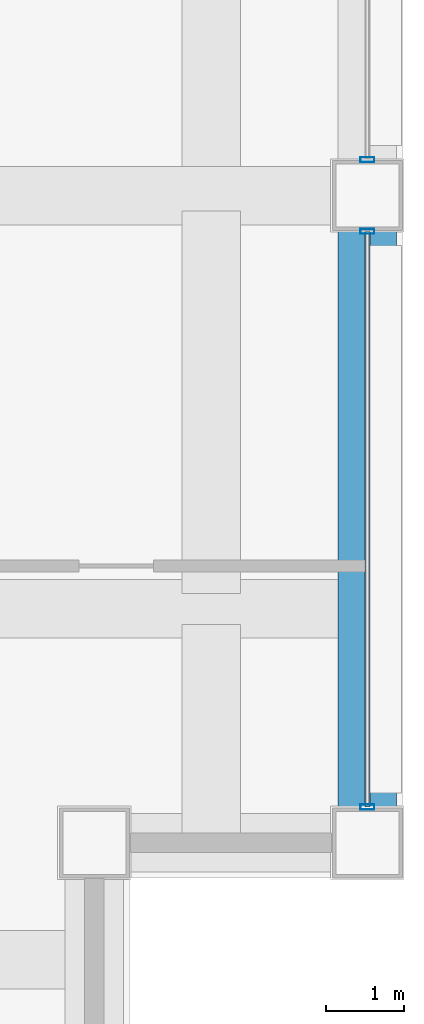
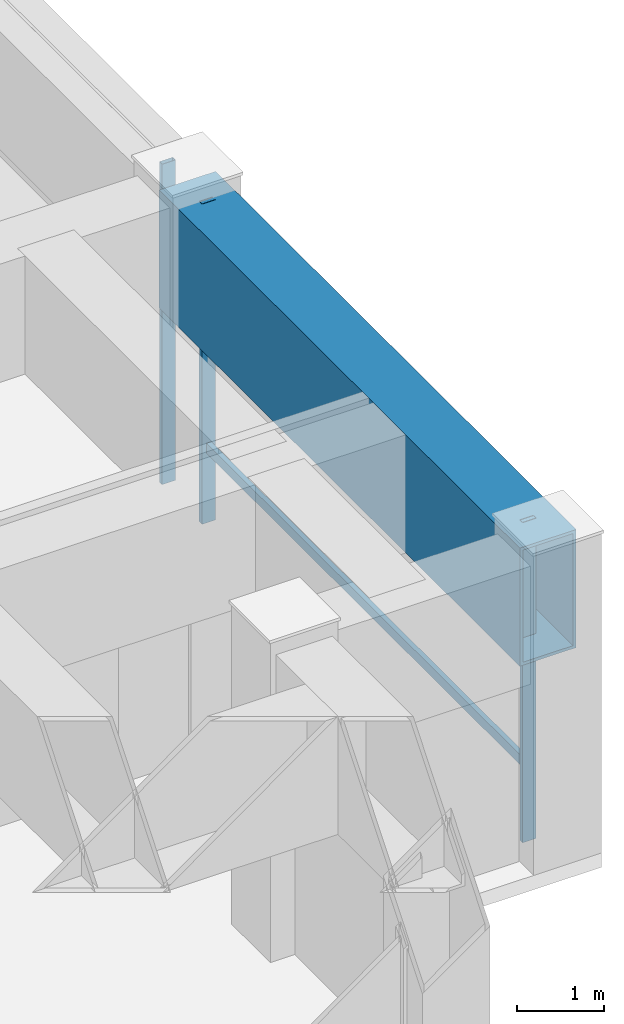
# One storey, part 14 of 29: 4 members, 1 beam, 2 elements without a shape of their own.
"""IFC4 building model written with IfcOpenShell, lengths in metres."""

from ifc_helpers import new_model, si_unit, direction, frame, origin, origin_2d, place, context, subcontext, project, spatial, hollow_rectangle, extrude, material, layer, layer_set, material_profile, profile_set, type_object, element, aggregate, save


model = new_model("IFC4")

# Units and contexts
model_context = context("Model", 3, precision=1e-05, world=origin(), true_north=direction((0.0, 1.0)))
body_context = subcontext(model_context, "Body", "Model", "MODEL_VIEW")
ifc_project = project(units=[si_unit("LENGTHUNIT", "METRE"), si_unit("AREAUNIT", "SQUARE_METRE"), si_unit("VOLUMEUNIT", "CUBIC_METRE"), si_unit("PLANEANGLEUNIT", "RADIAN"), si_unit("MASSUNIT", "GRAM", prefix="KILO")], contexts=[model_context])

# Site, building, storey
site_placement = place(None, origin())
site = spatial("IfcSite", under=ifc_project, at=site_placement, CompositionType="ELEMENT")
building_placement = place(site_placement, origin())
building = spatial("IfcBuilding", under=site, at=building_placement, Name="Brelmoor Portico Tower", CompositionType="ELEMENT")
storey_placement = place(building_placement, frame((0.0, 0.0, 82.800048828125)))
storey = spatial("IfcBuildingStorey", under=building, at=storey_placement, Name="L21", CompositionType="ELEMENT", Elevation=82.800048828125)

# Beam
ifc_material_1 = material(Name="Steel Q355B", Category="steel")
ifc_material_profile_1 = material_profile(ifc_material_1, hollow_rectangle(XDim=0.75, YDim=1.659912109375, WallThickness=0.0419921875, at=origin_2d()), Name="BOX 750x1660x42")
ifc_profile_set_1 = profile_set([ifc_material_profile_1], Name="Steel Q355B")
beam_type = type_object("IfcBeamType", Name="BM-TG-Z2", PredefinedType="BEAM", material=ifc_profile_set_1)
beam_placement = place(storey_placement, frame((24.550048828125, -18.050048828125, 3.469970703125), z_axis=(0.0, 1.0, 0.0), x_axis=(-1.0, 0.0, 0.0)))
element("IfcBeam", 1, at=beam_placement, inside=storey, type_object=beam_type, Name="L21 Perimeter Transfer Beam SP-22", PredefinedType="BEAM", context=body_context, shape_type="SweptSolid", body=[
    extrude(hollow_rectangle(XDim=0.75, YDim=1.659912109375, WallThickness=0.0419921875, at=origin_2d()), origin(), (0.0, 0.0, 1.0), 8.300048828125),
])

# Curtain wall, members
ifc_material_2 = material(Name="Anodised Aluminium Alloy 6063-T6", Category="aluminium")
ifc_layer = layer(ifc_material_2, 0.179931640625)
ifc_layer_set = layer_set([ifc_layer], Name="Anodised Aluminium Alloy 6063-T6")
curtain_wall_type = type_object("IfcCurtainWallType", Name="CW-TOWER-Z1", PredefinedType="NOTDEFINED", material=ifc_layer_set)
curtain_wall_1_placement = place(storey_placement, origin())
curtain_wall_1 = element("IfcCurtainWall", 2, at=curtain_wall_1_placement, inside=storey, type_object=curtain_wall_type, Name="L21 Curtain Wall CW-L21-04-1", PredefinedType="NOTDEFINED")
ifc_material_profile_2 = material_profile(ifc_material_2, hollow_rectangle(XDim=0.06494140625, YDim=0.179931640625, WallThickness=0.00390625, at=origin_2d()), Name="ALU MULLION 65x180")
ifc_profile_set_2 = profile_set([ifc_material_profile_2], Name="Anodised Aluminium Alloy 6063-T6")
member_type_1 = type_object("IfcMemberType", Name="MB-CW-MULL-180", PredefinedType="MULLION", material=ifc_profile_set_2)
member_1_placement = place(storey_placement, frame((24.550048828125, -17.590087890625, -0.199951171875), z_axis=(0.0, 0.0, 1.0), x_axis=(0.0, 1.0, 0.0)))
member_1 = element("IfcMember", 3, at=member_1_placement, type_object=member_type_1, Name="CW-L21-04-1 Mullion 00", PredefinedType="MULLION", context=body_context, shape_type="SweptSolid", body=[
    extrude(hollow_rectangle(XDim=0.06494140625, YDim=0.179931640625, WallThickness=0.00390625, at=origin_2d()), origin(), (0.0, 0.0, 1.0), 4.5),
])
member_2_placement = place(storey_placement, frame((24.550048828125, -10.2099609375, -0.199951171875), z_axis=(0.0, 0.0, 1.0), x_axis=(0.0, 1.0, 0.0)))
member_2 = element("IfcMember", 4, at=member_2_placement, type_object=member_type_1, Name="CW-L21-04-1 Mullion 01", PredefinedType="MULLION", context=body_context, shape_type="SweptSolid", body=[
    extrude(hollow_rectangle(XDim=0.06494140625, YDim=0.179931640625, WallThickness=0.00390625, at=origin_2d()), origin(), (0.0, 0.0, 1.0), 4.5),
])

# Curtain wall, member
curtain_wall_2_placement = place(storey_placement, origin())
curtain_wall_2 = element("IfcCurtainWall", 5, at=curtain_wall_2_placement, inside=storey, type_object=curtain_wall_type, Name="L21 Curtain Wall CW-L21-04-2", PredefinedType="NOTDEFINED")
member_3_placement = place(storey_placement, frame((24.550048828125, -9.2900390625, -0.199951171875), z_axis=(0.0, 0.0, 1.0), x_axis=(0.0, 1.0, 0.0)))
member_3 = element("IfcMember", 6, at=member_3_placement, type_object=member_type_1, Name="CW-L21-04-2 Mullion 00", PredefinedType="MULLION", context=body_context, shape_type="SweptSolid", body=[
    extrude(hollow_rectangle(XDim=0.06494140625, YDim=0.179931640625, WallThickness=0.00390625, at=origin_2d()), origin(), (0.0, 0.0, 1.0), 4.5),
])
aggregate(curtain_wall_2, [member_3])

# Member
ifc_material_profile_3 = material_profile(ifc_material_2, hollow_rectangle(XDim=0.06494140625, YDim=0.139892578125, WallThickness=0.00390625, at=origin_2d()), Name="ALU TRANSOM 65x140")
ifc_profile_set_3 = profile_set([ifc_material_profile_3], Name="Anodised Aluminium Alloy 6063-T6")
member_type_2 = type_object("IfcMemberType", Name="MB-CW-TRAN-140", PredefinedType="USERDEFINED", material=ifc_profile_set_3)
member_4_placement = place(storey_placement, frame((24.550048828125, -17.590087890625, 0.849853515625), z_axis=(0.0, 1.0, 0.0), x_axis=(-1.0, 0.0, 0.0)))
member_4 = element("IfcMember", 7, at=member_4_placement, type_object=member_type_2, Name="CW-L21-04-1 Transom 1-00", ObjectType="TRANSOM", PredefinedType="USERDEFINED", context=body_context, shape_type="SweptSolid", body=[
    extrude(hollow_rectangle(XDim=0.06494140625, YDim=0.139892578125, WallThickness=0.00390625, at=origin_2d()), origin(), (0.0, 0.0, 1.0), 7.380126953125),
])

aggregate(curtain_wall_1, [member_1, member_2, member_4])

save(model, "model.ifc")
